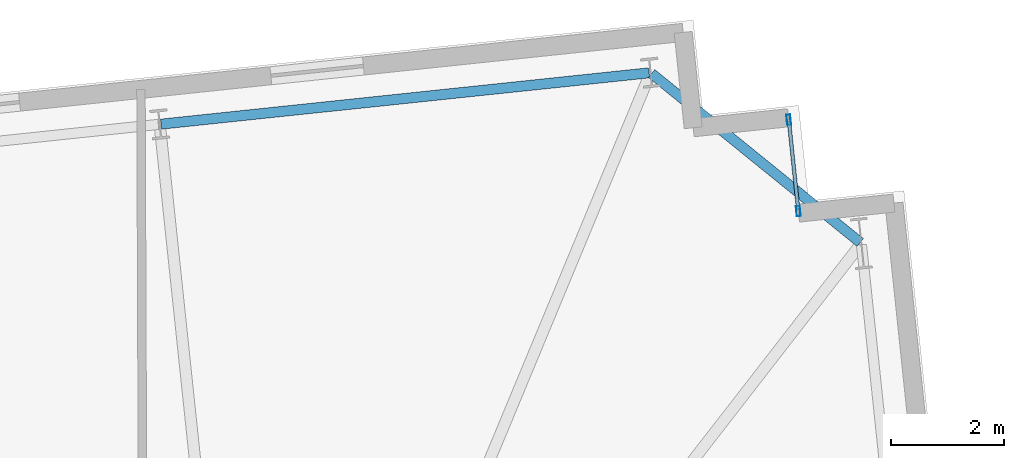
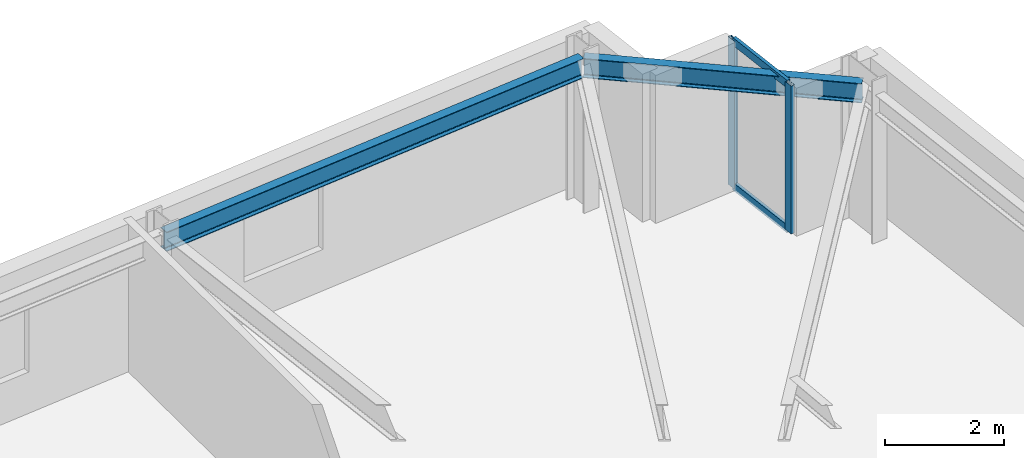
# One storey, part 10 of 19: 4 members, 2 beams, 1 element without a shape of its own.
"""IFC4 building model written with IfcOpenShell, lengths in metres."""

from ifc_helpers import new_model, si_unit, direction, frame, origin, origin_2d, place, context, subcontext, project, spatial, hollow_rectangle, i_section, extrude, material, layer, layer_set, material_profile, profile_set, type_object, element, aggregate, save


model = new_model("IFC4")

# Units and contexts
model_context = context("Model", 3, precision=1e-05, world=origin(), true_north=direction((0.0, 1.0)))
body_context = subcontext(model_context, "Body", "Model", "MODEL_VIEW")
ifc_project = project(units=[si_unit("LENGTHUNIT", "METRE"), si_unit("AREAUNIT", "SQUARE_METRE"), si_unit("VOLUMEUNIT", "CUBIC_METRE"), si_unit("PLANEANGLEUNIT", "RADIAN"), si_unit("MASSUNIT", "GRAM", prefix="KILO")], contexts=[model_context])

# Site, building, storey
site_placement = place(None, origin())
site = spatial("IfcSite", under=ifc_project, at=site_placement, CompositionType="ELEMENT")
building_placement = place(site_placement, origin())
building = spatial("IfcBuilding", under=site, at=building_placement, Name="Qobustan Lattice House", CompositionType="ELEMENT")
storey_placement = place(building_placement, frame((0.0, 0.0, 85.699951171875)))
storey = spatial("IfcBuildingStorey", under=building, at=storey_placement, Name="L23", CompositionType="ELEMENT", Elevation=85.699951171875)

# Beams
ifc_material_1 = material(Name="Steel S355", Category="steel")
ifc_material_profile_1 = material_profile(ifc_material_1, i_section(OverallWidth=0.179931640625, OverallDepth=0.39990234375, WebThickness=0.008544921875, FlangeThickness=0.013427734375, FilletRadius=0.02099609375, at=origin_2d()), Name="IPE400")
ifc_profile_set_1 = profile_set([ifc_material_profile_1], Name="Steel S355")
beam_type = type_object("IfcBeamType", Name="BM-SPD-IPE400", PredefinedType="SPANDREL", material=ifc_profile_set_1)
beam_1_placement = place(storey_placement, frame((29.536865234375, 19.484619140625, 2.844970703125), z_axis=(-0.777140911545, 0.629326627121, 0.0), x_axis=(-0.629326627121, -0.777140911545, 0.0)))
element("IfcBeam", 1, at=beam_1_placement, inside=storey, type_object=beam_type, Name="L23 perimeter spandrel E4-N1", PredefinedType="SPANDREL", context=body_context, shape_type="SweptSolid", body=[
    extrude(i_section(OverallWidth=0.179931640625, OverallDepth=0.39990234375, WebThickness=0.008544921875, FlangeThickness=0.013427734375, FilletRadius=0.02099609375, at=origin_2d()), origin(), (0.0, 0.0, 1.0), 4.758544921875),
])
beam_2_placement = place(storey_placement, frame((25.794677734375, 22.492431640625, 2.844970703125), z_axis=(-0.994521586424, -0.104531402636, 0.0), x_axis=(0.104531402636, -0.994521586424, 0.0)))
element("IfcBeam", 2, at=beam_2_placement, inside=storey, type_object=beam_type, Name="L23 perimeter spandrel N1-N2", PredefinedType="SPANDREL", context=body_context, shape_type="SweptSolid", body=[
    extrude(i_section(OverallWidth=0.179931640625, OverallDepth=0.39990234375, WebThickness=0.008544921875, FlangeThickness=0.013427734375, FilletRadius=0.02099609375, at=origin_2d()), origin(), (0.0, 0.0, 1.0), 8.699951171875),
])

# Curtain wall, members
ifc_material_2 = material(Name="Anodised aluminium and low-E glazing", Category="aluminium")
ifc_layer = layer(ifc_material_2, 0.219970703125)
ifc_layer_set = layer_set([ifc_layer], Name="Anodised aluminium and low-E glazing")
curtain_wall_type = type_object("IfcCurtainWallType", Name="CW-FAC-01", PredefinedType="USERDEFINED", material=ifc_layer_set)
curtain_wall_placement = place(storey_placement, origin())
curtain_wall = element("IfcCurtainWall", 3, at=curtain_wall_placement, inside=storey, type_object=curtain_wall_type, Name="L23 serrated corner faceted glazing 13", ObjectType="CURTAIN WALL", PredefinedType="USERDEFINED")
ifc_material_3 = material(Name="Anodised aluminium EN AW-6063 T6", Category="aluminium")
ifc_material_profile_2 = material_profile(ifc_material_3, hollow_rectangle(XDim=0.070068359375, YDim=0.179931640625, WallThickness=0.00439453125, at=origin_2d()), Name="CWM-180x70")
ifc_profile_set_2 = profile_set([ifc_material_profile_2], Name="Anodised aluminium EN AW-6063 T6")
member_type_1 = type_object("IfcMemberType", Name="CWM-STD-180", PredefinedType="MULLION", material=ifc_profile_set_2)
member_1_placement = place(storey_placement, frame((28.27001953125, 21.66162109375, 0.0), z_axis=(0.0, 0.0, 1.0), x_axis=(0.994521878892, 0.104528620025, 0.0)))
member_1 = element("IfcMember", 4, at=member_1_placement, type_object=member_type_1, Name="CW-F1 mullion 1", PredefinedType="MULLION", context=body_context, shape_type="SweptSolid", body=[
    extrude(hollow_rectangle(XDim=0.070068359375, YDim=0.179931640625, WallThickness=0.00439453125, at=origin_2d()), origin(), (0.0, 0.0, 1.0), 3.045166015625),
])
member_2_placement = place(storey_placement, frame((28.4404296875, 20.04052734375, 0.0), z_axis=(0.0, 0.0, 1.0), x_axis=(0.994521878892, 0.104528620025, 0.0)))
member_2 = element("IfcMember", 5, at=member_2_placement, type_object=member_type_1, Name="CW-F1 mullion 2", PredefinedType="MULLION", context=body_context, shape_type="SweptSolid", body=[
    extrude(hollow_rectangle(XDim=0.070068359375, YDim=0.179931640625, WallThickness=0.00439453125, at=origin_2d()), origin(), (0.0, 0.0, 1.0), 3.045166015625),
])
ifc_material_4 = material(Name="Anodised aluminium EN AW-6063 T6", Category="aluminium")
ifc_material_profile_3 = material_profile(ifc_material_4, hollow_rectangle(XDim=0.06494140625, YDim=0.159912109375, WallThickness=0.00390625, at=origin_2d()), Name="CWT-160x65")
ifc_profile_set_3 = profile_set([ifc_material_profile_3], Name="Anodised aluminium EN AW-6063 T6")
member_type_2 = type_object("IfcMemberType", Name="CWT-HOR-160", PredefinedType="USERDEFINED", material=ifc_profile_set_3)
member_3_placement = place(storey_placement, frame((28.273681640625, 21.626708984375, 0.032470703125), z_axis=(0.104538150424, -0.994520877159, 0.0), x_axis=(0.994520877159, 0.104538150424, 0.0)))
member_3 = element("IfcMember", 6, at=member_3_placement, type_object=member_type_2, Name="CW-F1 transom 1.1", ObjectType="TRANSOM", PredefinedType="USERDEFINED", context=body_context, shape_type="SweptSolid", body=[
    extrude(hollow_rectangle(XDim=0.06494140625, YDim=0.159912109375, WallThickness=0.00390625, at=origin_2d()), origin(), (0.0, 0.0, 1.0), 1.56005859375),
])
member_4_placement = place(storey_placement, frame((28.273681640625, 21.626708984375, 3.012451171875), z_axis=(0.104538150424, -0.994520877159, 0.0), x_axis=(0.994520877159, 0.104538150424, 0.0)))
member_4 = element("IfcMember", 7, at=member_4_placement, type_object=member_type_2, Name="CW-F1 transom 1.2", ObjectType="TRANSOM", PredefinedType="USERDEFINED", context=body_context, shape_type="SweptSolid", body=[
    extrude(hollow_rectangle(XDim=0.06494140625, YDim=0.159912109375, WallThickness=0.00390625, at=origin_2d()), origin(), (0.0, 0.0, 1.0), 1.56005859375),
])
aggregate(curtain_wall, [member_1, member_2, member_3, member_4])

save(model, "model.ifc")
